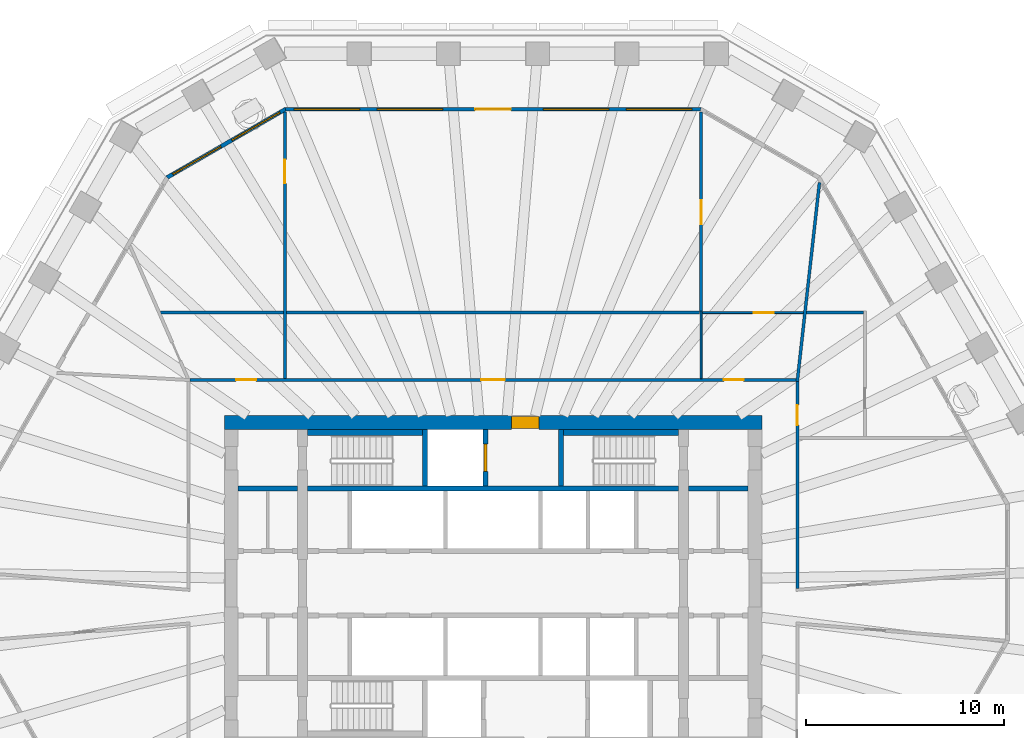
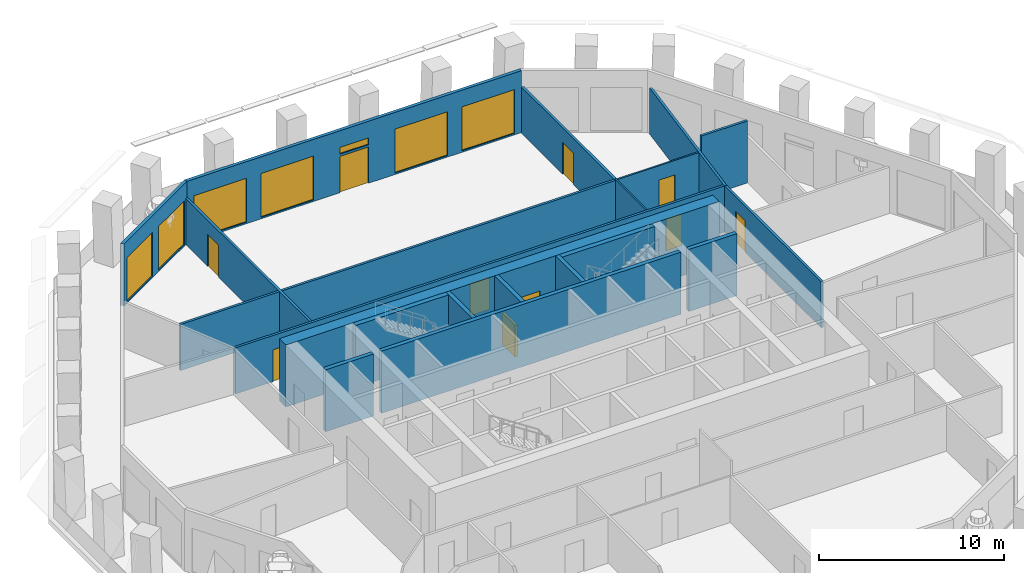
# One storey, part 7 of 12: 20 walls, 10 doors, 7 windows, 17 openings.
"""IFC4 building model written with IfcOpenShell, lengths in metres."""

from ifc_helpers import new_model, si_unit, direction, frame, frame_2d, origin, place, context, subcontext, project, spatial, polyline, rectangle, outline, extrude, material, layer, layer_set, type_object, element, fill, save


model = new_model("IFC4")

# Units and contexts
model_context = context("Model", 3, precision=1e-05, world=origin(), true_north=direction((0.0, 1.0)))
body_context = subcontext(model_context, "Body", "Model", "MODEL_VIEW")
ifc_project = project(units=[si_unit("LENGTHUNIT", "METRE"), si_unit("AREAUNIT", "SQUARE_METRE"), si_unit("VOLUMEUNIT", "CUBIC_METRE"), si_unit("PLANEANGLEUNIT", "RADIAN"), si_unit("MASSUNIT", "GRAM", prefix="KILO")], contexts=[model_context])

# Site, building, storey
site_placement = place(None, origin())
site = spatial("IfcSite", under=ifc_project, at=site_placement, CompositionType="ELEMENT")
building_placement = place(site_placement, origin())
building = spatial("IfcBuilding", under=site, at=building_placement, Name="Frailejon Research Tower", CompositionType="ELEMENT")
storey_placement = place(building_placement, frame((0.0, 0.0, 162.800048828125)))
storey = spatial("IfcBuildingStorey", under=building, at=storey_placement, Name="L35", CompositionType="ELEMENT", Elevation=162.800048828125)

# Wall, opening, door
ifc_material_1 = material(Name="Concrete C60/75", Category="concrete")
ifc_layer_1 = layer(ifc_material_1, 0.699951171875)
ifc_layer_set_1 = layer_set([ifc_layer_1], Name="Core shear wall 700 C60/75")
wall_type_1 = type_object("IfcWallType", Name="Core shear wall 700 C60/75", PredefinedType="SHEAR", material=ifc_layer_set_1)
wall_1_placement = place(storey_placement, frame((-13.550048828125, 8.10009765625, 0.0), z_axis=(0.0, 0.0, 1.0), x_axis=(1.0, 0.0, 0.0)))
wall_1 = element("IfcWall", 1, at=wall_1_placement, inside=storey, type_object=wall_type_1, Name="Core shear wall", PredefinedType="SHEAR", context=body_context, shape_type="SweptSolid", body=[
    extrude(rectangle(XDim=27.10009765625, YDim=0.699951171875, at=frame_2d((13.550048828125, 0.0))), origin(), (0.0, 0.0, 1.0), 4.099853515625),
])
opening_1_placement = place(wall_1_placement, frame((14.47509765625, 0.0, 0.0)))
opening_1 = element("IfcOpeningElement", 2, at=opening_1_placement, cuts=wall_1, Name="Opening D9", PredefinedType="OPENING", context=body_context, shape_type="SweptSolid", body=[
    extrude(rectangle(XDim=1.39990234375, YDim=2.10009765625, at=frame_2d((0.699951171875, 1.050048828125))), frame((0.0, 0.35986328125, 0.0), z_axis=(0.0, -1.0, 0.0), x_axis=(1.0, 0.0, 0.0)), (0.0, 0.0, 1.0), 0.719970703125),
])
ifc_material_2 = material(Name="Steel", Category="steel")
door_type_1 = type_object("IfcDoorType", Name="Goods lobby door", OperationType="DOUBLE_DOOR_SINGLE_SWING", PredefinedType="DOOR", material=ifc_material_2)
door_1_placement = place(opening_1_placement, origin())
door_1 = element("IfcDoor", 3, at=door_1_placement, inside=storey, type_object=door_type_1, Name="Goods lobby door", OperationType="DOUBLE_DOOR_SINGLE_SWING", OverallHeight=2.10009765625, OverallWidth=1.39990234375, PredefinedType="DOOR", context=body_context, shape_type="SweptSolid", body=[
    extrude(rectangle(XDim=1.39990234375, YDim=2.10009765625, at=frame_2d((0.699951171875, 1.050048828125))), frame((0.0, 0.300048828125, 0.0), z_axis=(0.0, -1.0, 0.0), x_axis=(1.0, 0.0, 0.0)), (0.0, 0.0, 1.0), 0.60009765625),
])
fill(opening_1, door_1)

ifc_material_3 = material(Name="Gypsum board and masonry partition", Category="masonry")
ifc_layer_2 = layer(ifc_material_3, 0.14990234375)
ifc_layer_set_2 = layer_set([ifc_layer_2], Name="Corridor wall EI 60, gypsum on steel studs 150")
wall_type_2 = type_object("IfcWallType", Name="Corridor wall EI 60, gypsum on steel studs 150", PredefinedType="PARTITIONING", material=ifc_layer_set_2)
wall_2_placement = place(storey_placement, frame((15.35009765625, -0.25390625, 0.0), z_axis=(0.0, 0.0, 1.0), x_axis=(0.0, 1.0, 0.0)))
wall_2 = element("IfcWall", 4, at=wall_2_placement, inside=storey, type_object=wall_type_2, Name="T:IW:L35:002", PredefinedType="PARTITIONING", context=body_context, shape_type="SweptSolid", body=[
    extrude(rectangle(XDim=10.428955078125, YDim=0.14990234375, at=frame_2d((5.21435546875, 0.0))), origin(), (0.0, 0.0, 1.0), 3.050048828125),
])
opening_2_placement = place(wall_2_placement, frame((8.232177734375, 0.0, 0.0)))
opening_2 = element("IfcOpeningElement", 5, at=opening_2_placement, cuts=wall_2, Name="Opening D1758", PredefinedType="OPENING", context=body_context, shape_type="SweptSolid", body=[
    extrude(rectangle(XDim=1.0, YDim=2.10009765625, at=frame_2d((0.5, 1.050048828125))), frame((0.0, 0.0849609375, 0.0), z_axis=(0.0, -1.0, 0.0), x_axis=(1.0, 0.0, 0.0)), (0.0, 0.0, 1.0), 0.169921875),
])
ifc_material_4 = material(Name="Timber door leaf", Category="wood")
door_type_2 = type_object("IfcDoorType", Name="Door laboratory, timber, vision panel 1000", OperationType="NOTDEFINED", PredefinedType="DOOR", material=ifc_material_4)
door_2_placement = place(opening_2_placement, origin())
door_2 = element("IfcDoor", 6, at=door_2_placement, inside=storey, type_object=door_type_2, Name="D1758", OperationType="SINGLE_SWING_LEFT", OverallHeight=2.10009765625, OverallWidth=1.0, PredefinedType="DOOR", context=body_context, shape_type="SweptSolid", body=[
    extrude(rectangle(XDim=1.0, YDim=2.10009765625, at=frame_2d((0.5, 1.050048828125))), frame((0.0, 0.02490234375, 0.0), z_axis=(0.0, -1.0, 0.0), x_axis=(1.0, 0.0, 0.0)), (0.0, 0.0, 1.0), 0.050048828125),
])
fill(opening_2, door_2)

# Wall, openings, doors
wall_3_placement = place(storey_placement, frame((-15.27490234375, 10.25, 0.0), z_axis=(0.0, 0.0, 1.0), x_axis=(1.0, 0.0, 0.0)))
wall_3 = element("IfcWall", 7, at=wall_3_placement, inside=storey, type_object=wall_type_2, Name="T:IW:L35:003", PredefinedType="PARTITIONING", context=body_context, shape_type="SweptSolid", body=[
    extrude(rectangle(XDim=30.5498046875, YDim=0.14990234375, at=frame_2d((15.27490234375, 0.0))), origin(), (0.0, 0.0, 1.0), 3.050048828125),
])
opening_3_placement = place(wall_3_placement, frame((26.90869140625, 0.0, 0.0)))
opening_3 = element("IfcOpeningElement", 8, at=opening_3_placement, cuts=wall_3, Name="Opening D1760", PredefinedType="OPENING", context=body_context, shape_type="SweptSolid", body=[
    extrude(rectangle(XDim=1.0, YDim=2.10009765625, at=frame_2d((0.5, 1.050048828125))), frame((0.0, 0.0849609375, 0.0), z_axis=(0.0, -1.0, 0.0), x_axis=(1.0, 0.0, 0.0)), (0.0, 0.0, 1.0), 0.169921875),
])
opening_4_placement = place(wall_3_placement, frame((14.675048828125, 0.0, 0.0)))
opening_4 = element("IfcOpeningElement", 9, at=opening_4_placement, cuts=wall_3, Name="Opening D1763", PredefinedType="OPENING", context=body_context, shape_type="SweptSolid", body=[
    extrude(rectangle(XDim=1.199951171875, YDim=2.10009765625, at=frame_2d((0.60009765625, 1.050048828125))), frame((0.0, 0.0849609375, 0.0), z_axis=(0.0, -1.0, 0.0), x_axis=(1.0, 0.0, 0.0)), (0.0, 0.0, 1.0), 0.169921875),
])
opening_5_placement = place(wall_3_placement, frame((2.32568359375, 0.0, 0.0)))
opening_5 = element("IfcOpeningElement", 10, at=opening_5_placement, cuts=wall_3, Name="Opening D1765", PredefinedType="OPENING", context=body_context, shape_type="SweptSolid", body=[
    extrude(rectangle(XDim=1.0, YDim=2.10009765625, at=frame_2d((0.5, 1.050048828125))), frame((0.0, 0.0849609375, 0.0), z_axis=(0.0, -1.0, 0.0), x_axis=(1.0, 0.0, 0.0)), (0.0, 0.0, 1.0), 0.169921875),
])
door_3_placement = place(opening_5_placement, origin())
door_3 = element("IfcDoor", 11, at=door_3_placement, inside=storey, type_object=door_type_2, Name="D1765", OperationType="SINGLE_SWING_LEFT", OverallHeight=2.10009765625, OverallWidth=1.0, PredefinedType="DOOR", context=body_context, shape_type="SweptSolid", body=[
    extrude(rectangle(XDim=1.0, YDim=2.10009765625, at=frame_2d((0.5, 1.050048828125))), frame((0.0, 0.02490234375, 0.0), z_axis=(0.0, -1.0, 0.0), x_axis=(1.0, 0.0, 0.0)), (0.0, 0.0, 1.0), 0.050048828125),
])
fill(opening_5, door_3)
ifc_material_5 = material(Name="Timber door leaf", Category="wood")
door_type_3 = type_object("IfcDoorType", Name="Door single leaf, timber, steel frame 1000", OperationType="NOTDEFINED", PredefinedType="DOOR", material=ifc_material_5)
door_4_placement = place(opening_3_placement, origin())
door_4 = element("IfcDoor", 12, at=door_4_placement, inside=storey, type_object=door_type_3, Name="D1760", OperationType="SINGLE_SWING_RIGHT", OverallHeight=2.10009765625, OverallWidth=1.0, PredefinedType="DOOR", context=body_context, shape_type="SweptSolid", body=[
    extrude(rectangle(XDim=1.0, YDim=2.10009765625, at=frame_2d((0.5, 1.050048828125))), frame((0.0, 0.02490234375, 0.0), z_axis=(0.0, -1.0, 0.0), x_axis=(1.0, 0.0, 0.0)), (0.0, 0.0, 1.0), 0.050048828125),
])
fill(opening_3, door_4)
ifc_material_6 = material(Name="Timber door leaf", Category="wood")
door_type_4 = type_object("IfcDoorType", Name="Door single leaf, timber, steel frame 1200", OperationType="NOTDEFINED", PredefinedType="DOOR", material=ifc_material_6)
door_5_placement = place(opening_4_placement, origin())
door_5 = element("IfcDoor", 13, at=door_5_placement, inside=storey, type_object=door_type_4, Name="D1763", OperationType="DOUBLE_DOOR_SINGLE_SWING", OverallHeight=2.10009765625, OverallWidth=1.199951171875, PredefinedType="DOOR", context=body_context, shape_type="SweptSolid", body=[
    extrude(rectangle(XDim=1.199951171875, YDim=2.10009765625, at=frame_2d((0.60009765625, 1.050048828125))), frame((0.0, 0.02490234375, 0.0), z_axis=(0.0, -1.0, 0.0), x_axis=(1.0, 0.0, 0.0)), (0.0, 0.0, 1.0), 0.050048828125),
])
fill(opening_4, door_5)

# Walls
ifc_material_7 = material(Name="Gypsum board and masonry partition", Category="masonry")
ifc_layer_3 = layer(ifc_material_7, 0.14990234375)
ifc_layer_set_3 = layer_set([ifc_layer_3], Name="Laboratory partition, blockwork 150")
wall_type_3 = type_object("IfcWallType", Name="Laboratory partition, blockwork 150", PredefinedType="PARTITIONING", material=ifc_layer_set_3)
wall_4_placement = place(storey_placement, frame((-16.761474609375, 13.64990234375, 0.0), z_axis=(0.0, 0.0, 1.0), x_axis=(1.0, 0.0, 0.0)))
element("IfcWall", 14, at=wall_4_placement, inside=storey, type_object=wall_type_3, Name="T:IW:L35:012", PredefinedType="PARTITIONING", context=body_context, shape_type="SweptSolid", body=[
    extrude(rectangle(XDim=27.181640625, YDim=0.14990234375, at=frame_2d((13.5908203125, 0.0))), origin(), (0.0, 0.0, 1.0), 3.050048828125),
])
wall_5_placement = place(storey_placement, frame((15.803466796875, 13.64990234375, 0.0), z_axis=(0.0, 0.0, 1.0), x_axis=(1.0, 0.0, 0.0)))
element("IfcWall", 15, at=wall_5_placement, inside=storey, type_object=wall_type_3, Name="T:IW:L35:013", PredefinedType="PARTITIONING", context=body_context, shape_type="SweptSolid", body=[
    extrude(rectangle(XDim=2.87158203125, YDim=0.14990234375, at=frame_2d((1.435791015625, 0.0))), origin(), (0.0, 0.0, 1.0), 4.099853515625),
])
wall_6_placement = place(storey_placement, frame((15.341796875, 10.175537109375, 0.0), z_axis=(0.0, 0.0, 1.0), x_axis=(0.110633414976, 0.993861281815, 0.0)))
element("IfcWall", 16, at=wall_6_placement, inside=storey, type_object=wall_type_3, Name="T:IW:L35:016", PredefinedType="PARTITIONING", context=body_context, shape_type="SweptSolid", body=[
    extrude(rectangle(XDim=10.087158203125, YDim=0.14990234375, at=frame_2d((5.04345703125, 0.0))), origin(), (0.0, 0.0, 1.0), 3.050048828125),
])

# Wall, opening, door
wall_7_placement = place(storey_placement, frame((10.4951171875, 13.699951171875, 0.0), z_axis=(0.0, 0.0, 1.0), x_axis=(0.0, 1.0, 0.0)))
wall_7 = element("IfcWall", 17, at=wall_7_placement, inside=storey, type_object=wall_type_3, Name="T:IW:L35:017", PredefinedType="PARTITIONING", context=body_context, shape_type="SweptSolid", body=[
    extrude(rectangle(XDim=10.069091796875, YDim=0.14990234375, at=frame_2d((5.03466796875, 0.0))), origin(), (0.0, 0.0, 1.0), 3.050048828125),
])
opening_6_placement = place(wall_7_placement, frame((4.409423828125, 0.0, 0.0)))
opening_6 = element("IfcOpeningElement", 18, at=opening_6_placement, cuts=wall_7, Name="Opening D1762", PredefinedType="OPENING", context=body_context, shape_type="SweptSolid", body=[
    extrude(rectangle(XDim=1.199951171875, YDim=2.10009765625, at=frame_2d((0.60009765625, 1.050048828125))), frame((0.0, 0.0849609375, 0.0), z_axis=(0.0, -1.0, 0.0), x_axis=(1.0, 0.0, 0.0)), (0.0, 0.0, 1.0), 0.169921875),
])
ifc_material_8 = material(Name="Timber door leaf", Category="wood")
door_type_5 = type_object("IfcDoorType", Name="Door laboratory, timber, vision panel 1200", OperationType="NOTDEFINED", PredefinedType="DOOR", material=ifc_material_8)
door_6_placement = place(opening_6_placement, origin())
door_6 = element("IfcDoor", 19, at=door_6_placement, inside=storey, type_object=door_type_5, Name="D1762", OperationType="DOUBLE_DOOR_SINGLE_SWING", OverallHeight=2.10009765625, OverallWidth=1.199951171875, PredefinedType="DOOR", context=body_context, shape_type="SweptSolid", body=[
    extrude(rectangle(XDim=1.199951171875, YDim=2.10009765625, at=frame_2d((0.60009765625, 1.050048828125))), frame((0.0, 0.02490234375, 0.0), z_axis=(0.0, -1.0, 0.0), x_axis=(1.0, 0.0, 0.0)), (0.0, 0.0, 1.0), 0.050048828125),
])
fill(opening_6, door_6)

wall_8_placement = place(storey_placement, frame((-10.4951171875, 10.324951171875, 0.0), z_axis=(0.0, 0.0, 1.0), x_axis=(0.0, 1.0, 0.0)))
wall_8 = element("IfcWall", 20, at=wall_8_placement, inside=storey, type_object=wall_type_3, Name="T:IW:L35:018", PredefinedType="PARTITIONING", context=body_context, shape_type="SweptSolid", body=[
    extrude(rectangle(XDim=13.444091796875, YDim=0.14990234375, at=frame_2d((6.72216796875, 0.0))), origin(), (0.0, 0.0, 1.0), 3.050048828125),
])
opening_7_placement = place(wall_8_placement, frame((9.83935546875, 0.0, 0.0)))
opening_7 = element("IfcOpeningElement", 21, at=opening_7_placement, cuts=wall_8, Name="Opening D1764", PredefinedType="OPENING", context=body_context, shape_type="SweptSolid", body=[
    extrude(rectangle(XDim=1.199951171875, YDim=2.10009765625, at=frame_2d((0.60009765625, 1.050048828125))), frame((0.0, 0.0849609375, 0.0), z_axis=(0.0, -1.0, 0.0), x_axis=(1.0, 0.0, 0.0)), (0.0, 0.0, 1.0), 0.169921875),
])
door_7_placement = place(opening_7_placement, origin())
door_7 = element("IfcDoor", 22, at=door_7_placement, inside=storey, type_object=door_type_5, Name="D1764", OperationType="DOUBLE_DOOR_SINGLE_SWING", OverallHeight=2.10009765625, OverallWidth=1.199951171875, PredefinedType="DOOR", context=body_context, shape_type="SweptSolid", body=[
    extrude(rectangle(XDim=1.199951171875, YDim=2.10009765625, at=frame_2d((0.60009765625, 1.050048828125))), frame((0.0, 0.02490234375, 0.0), z_axis=(0.0, -1.0, 0.0), x_axis=(1.0, 0.0, 0.0)), (0.0, 0.0, 1.0), 0.050048828125),
])
fill(opening_7, door_7)

ifc_material_9 = material(Name="Gypsum board and masonry partition", Category="masonry")
ifc_layer_4 = layer(ifc_material_9, 0.10009765625)
ifc_layer_set_4 = layer_set([ifc_layer_4], Name="Partition, gypsum on steel studs 100")
wall_type_4 = type_object("IfcWallType", Name="Partition, gypsum on steel studs 100", PredefinedType="PARTITIONING", material=ifc_layer_set_4)
wall_9_placement = place(storey_placement, frame((10.545166015625, 13.64990234375, 0.0), z_axis=(0.0, 0.0, 1.0), x_axis=(1.0, 0.0, 0.0)))
wall_9 = element("IfcWall", 23, at=wall_9_placement, inside=storey, type_object=wall_type_4, Name="T:IW:L35:030", PredefinedType="PARTITIONING", context=body_context, shape_type="SweptSolid", body=[
    extrude(rectangle(XDim=5.1083984375, YDim=0.10009765625, at=frame_2d((2.55419921875, 0.0))), origin(), (0.0, 0.0, 1.0), 3.050048828125),
])
opening_8_placement = place(wall_9_placement, frame((2.5966796875, 0.0, 0.0)))
opening_8 = element("IfcOpeningElement", 24, at=opening_8_placement, cuts=wall_9, Name="Opening D1761", PredefinedType="OPENING", context=body_context, shape_type="SweptSolid", body=[
    extrude(rectangle(XDim=1.0, YDim=2.10009765625, at=frame_2d((0.5, 1.050048828125))), frame((0.0, 0.06005859375, 0.0), z_axis=(0.0, -1.0, 0.0), x_axis=(1.0, 0.0, 0.0)), (0.0, 0.0, 1.0), 0.1201171875),
])
door_8_placement = place(opening_8_placement, origin())
door_8 = element("IfcDoor", 25, at=door_8_placement, inside=storey, type_object=door_type_3, Name="D1761", OperationType="SINGLE_SWING_LEFT", OverallHeight=2.10009765625, OverallWidth=1.0, PredefinedType="DOOR", context=body_context, shape_type="SweptSolid", body=[
    extrude(rectangle(XDim=1.0, YDim=2.10009765625, at=frame_2d((0.5, 1.050048828125))), frame((0.0, 0.02490234375, 0.0), z_axis=(0.0, -1.0, 0.0), x_axis=(1.0, 0.0, 0.0)), (0.0, 0.0, 1.0), 0.050048828125),
])
fill(opening_8, door_8)

# Walls
wall_10_placement = place(storey_placement, frame((10.4951171875, 10.324951171875, 0.0), z_axis=(0.0, 0.0, 1.0), x_axis=(0.0, 1.0, 0.0)))
element("IfcWall", 26, at=wall_10_placement, inside=storey, type_object=wall_type_4, Name="T:IW:L35:031", PredefinedType="PARTITIONING", context=body_context, shape_type="SweptSolid", body=[
    extrude(rectangle(XDim=3.400146484375, YDim=0.10009765625, at=frame_2d((1.7001953125, 0.0))), origin(), (0.0, 0.0, 1.0), 3.050048828125),
])
ifc_material_10 = material(Name="Concrete C60/75", Category="concrete")
ifc_layer_5 = layer(ifc_material_10, 0.25)
ifc_layer_set_5 = layer_set([ifc_layer_5], Name="Shaft wall 250 C60/75")
wall_type_5 = type_object("IfcWallType", Name="Shaft wall 250 C60/75", PredefinedType="SOLIDWALL", material=ifc_layer_set_5)
wall_11_placement = place(storey_placement, frame((-12.85009765625, 4.77490234375, 0.0), z_axis=(0.0, 0.0, 1.0), x_axis=(1.0, 0.0, 0.0)))
element("IfcWall", 27, at=wall_11_placement, inside=storey, type_object=wall_type_5, Name="Shaft wall", PredefinedType="SOLIDWALL", context=body_context, shape_type="SweptSolid", body=[
    extrude(rectangle(XDim=3.0, YDim=0.25, at=frame_2d((1.5, 0.0))), origin(), (0.0, 0.0, 1.0), 4.099853515625),
])
wall_12_placement = place(storey_placement, frame((-9.35009765625, 4.77490234375, 0.0), z_axis=(0.0, 0.0, 1.0), x_axis=(1.0, 0.0, 0.0)))
element("IfcWall", 28, at=wall_12_placement, inside=storey, type_object=wall_type_5, Name="Shaft wall", PredefinedType="SOLIDWALL", context=body_context, shape_type="SweptSolid", body=[
    extrude(rectangle(XDim=18.7001953125, YDim=0.25, at=frame_2d((9.35009765625, 0.0))), origin(), (0.0, 0.0, 1.0), 4.099853515625),
])
wall_13_placement = place(storey_placement, frame((9.85009765625, 4.77490234375, 0.0), z_axis=(0.0, 0.0, 1.0), x_axis=(1.0, 0.0, 0.0)))
element("IfcWall", 29, at=wall_13_placement, inside=storey, type_object=wall_type_5, Name="Shaft wall", PredefinedType="SOLIDWALL", context=body_context, shape_type="SweptSolid", body=[
    extrude(rectangle(XDim=3.0, YDim=0.25, at=frame_2d((1.5, 0.0))), origin(), (0.0, 0.0, 1.0), 4.099853515625),
])
wall_14_placement = place(storey_placement, frame((-3.425048828125, 4.89990234375, 0.0), z_axis=(0.0, 0.0, 1.0), x_axis=(0.0, 1.0, 0.0)))
element("IfcWall", 30, at=wall_14_placement, inside=storey, type_object=wall_type_5, Name="Shaft wall", PredefinedType="SOLIDWALL", context=body_context, shape_type="SweptSolid", body=[
    extrude(rectangle(XDim=2.85009765625, YDim=0.25, at=frame_2d((1.425048828125, 0.0))), origin(), (0.0, 0.0, 1.0), 4.099853515625),
])

# Wall, opening, door
wall_15_placement = place(storey_placement, frame((-0.375, 4.89990234375, 0.0), z_axis=(0.0, 0.0, 1.0), x_axis=(0.0, 1.0, 0.0)))
wall_15 = element("IfcWall", 31, at=wall_15_placement, inside=storey, type_object=wall_type_5, Name="Shaft wall", PredefinedType="SOLIDWALL", context=body_context, shape_type="SweptSolid", body=[
    extrude(rectangle(XDim=2.85009765625, YDim=0.25, at=frame_2d((1.425048828125, 0.0))), origin(), (0.0, 0.0, 1.0), 4.099853515625),
])
opening_9_placement = place(wall_15_placement, frame((0.72509765625, 0.0, 0.0)))
opening_9 = element("IfcOpeningElement", 32, at=opening_9_placement, cuts=wall_15, Name="Opening LD2", PredefinedType="OPENING", context=body_context, shape_type="SweptSolid", body=[
    extrude(rectangle(XDim=1.39990234375, YDim=2.10009765625, at=frame_2d((0.699951171875, 1.050048828125))), frame((0.0, 0.135009765625, 0.0), z_axis=(0.0, -1.0, 0.0), x_axis=(1.0, 0.0, 0.0)), (0.0, 0.0, 1.0), 0.27001953125),
])
ifc_material_11 = material(Name="Stainless steel", Category="steel")
door_type_6 = type_object("IfcDoorType", Name="Goods landing door", OperationType="DOUBLE_DOOR_SLIDING", PredefinedType="DOOR", material=ifc_material_11)
door_9_placement = place(opening_9_placement, origin())
door_9 = element("IfcDoor", 33, at=door_9_placement, inside=storey, type_object=door_type_6, Name="Lift landing door", OperationType="DOUBLE_DOOR_SLIDING", OverallHeight=2.10009765625, OverallWidth=1.39990234375, PredefinedType="DOOR", context=body_context, shape_type="SweptSolid", body=[
    extrude(rectangle(XDim=1.39990234375, YDim=2.10009765625, at=frame_2d((0.699951171875, 1.050048828125))), frame((0.0, 0.074951171875, 0.0), z_axis=(0.0, -1.0, 0.0), x_axis=(1.0, 0.0, 0.0)), (0.0, 0.0, 1.0), 0.14990234375),
])
fill(opening_9, door_9)

# Walls
wall_16_placement = place(storey_placement, frame((3.425048828125, 4.89990234375, 0.0), z_axis=(0.0, 0.0, 1.0), x_axis=(0.0, 1.0, 0.0)))
element("IfcWall", 34, at=wall_16_placement, inside=storey, type_object=wall_type_5, Name="Shaft wall", PredefinedType="SOLIDWALL", context=body_context, shape_type="SweptSolid", body=[
    extrude(rectangle(XDim=2.85009765625, YDim=0.25, at=frame_2d((1.425048828125, 0.0))), origin(), (0.0, 0.0, 1.0), 4.099853515625),
])
ifc_material_12 = material(Name="Concrete C60/75", Category="concrete")
ifc_layer_6 = layer(ifc_material_12, 0.300048828125)
ifc_layer_set_6 = layer_set([ifc_layer_6], Name="Shaft wall 300 C60/75")
wall_type_6 = type_object("IfcWallType", Name="Shaft wall 300 C60/75", PredefinedType="SOLIDWALL", material=ifc_layer_set_6)
for number, where, z_axis, x_axis, name in (
    (35, (-9.35009765625, 7.60009765625, 0.0), (0.0, 0.0, 1.0), (1.0, 0.0, 0.0), "Shaft wall"),
    (36, (3.550048828125, 7.60009765625, 0.0), (0.0, 0.0, 1.0), (1.0, 0.0, 0.0), "Shaft wall"),
):
    element("IfcWall", number, at=place(storey_placement, frame(where, z_axis=z_axis, x_axis=x_axis)), inside=storey, type_object=wall_type_6, Name=name, PredefinedType="SOLIDWALL", context=body_context, shape_type="SweptSolid", body=[
        extrude(rectangle(XDim=5.800048828125, YDim=0.300048828125, at=frame_2d((2.89990234375, 0.0))), origin(), (0.0, 0.0, 1.0), 4.099853515625),
    ])

# Wall, openings, door, windows
ifc_material_13 = material(Name="Concrete C40/50 precast window wall panel", Category="concrete")
ifc_layer_7 = layer(ifc_material_13, 0.199951171875)
ifc_layer_set_7 = layer_set([ifc_layer_7], Name="Window wall 200")
wall_type_7 = type_object("IfcWallType", Name="Window wall 200", PredefinedType="SOLIDWALL", material=ifc_layer_set_7)
wall_17_placement = place(storey_placement, frame((10.46826171875, 23.89990234375, 0.0), z_axis=(0.0, 0.0, 1.0), x_axis=(-1.0, 0.0, 0.0)))
wall_17 = element("IfcWall", 37, at=wall_17_placement, inside=storey, type_object=wall_type_7, Name="Exterior wall L35", PredefinedType="SOLIDWALL", context=body_context, shape_type="SweptSolid", body=[
    extrude(outline(polyline([(-0.02685546875, -0.10009765625), (1.022705078125, -0.10009765625), (2.072265625, -0.10009765625), (3.12158203125, -0.10009765625), (4.171142578125, -0.10009765625), (5.220703125, -0.10009765625), (6.270263671875, -0.10009765625), (7.31982421875, -0.10009765625), (8.369140625, -0.10009765625), (9.418701171875, -0.10009765625), (10.46826171875, -0.10009765625), (11.517822265625, -0.10009765625), (12.5673828125, -0.10009765625), (13.61669921875, -0.10009765625), (14.666259765625, -0.10009765625), (15.7158203125, -0.10009765625), (16.765380859375, -0.10009765625), (17.81494140625, -0.10009765625), (18.8642578125, -0.10009765625), (19.913818359375, -0.10009765625), (20.96337890625, -0.10009765625), (20.90966796875, 0.10009765625), (19.865478515625, 0.10009765625), (18.8212890625, 0.10009765625), (17.77734375, 0.10009765625), (16.733154296875, 0.10009765625), (15.68896484375, 0.10009765625), (14.644775390625, 0.10009765625), (13.6005859375, 0.10009765625), (12.556640625, 0.10009765625), (11.512451171875, 0.10009765625), (10.46826171875, 0.10009765625), (9.424072265625, 0.10009765625), (8.3798828125, 0.10009765625), (7.3359375, 0.10009765625), (6.291748046875, 0.10009765625), (5.24755859375, 0.10009765625), (4.203369140625, 0.10009765625), (3.1591796875, 0.10009765625), (2.115234375, 0.10009765625), (1.071044921875, 0.10009765625), (0.02685546875, 0.10009765625), (-0.02685546875, -0.10009765625)])), origin(), (0.0, 0.0, 1.0), 4.099853515625),
])
opening_10_placement = place(wall_17_placement, frame((0.443603515625, 0.0, 0.10009765625)))
opening_10 = element("IfcOpeningElement", 38, at=opening_10_placement, cuts=wall_17, Name="Opening W5", PredefinedType="OPENING", context=body_context, shape_type="SweptSolid", body=[
    extrude(rectangle(XDim=3.300048828125, YDim=2.89990234375, at=frame_2d((1.64990234375, 1.449951171875))), frame((0.0, 0.10986328125, 0.0), z_axis=(0.0, -1.0, 0.0), x_axis=(1.0, 0.0, 0.0)), (0.0, 0.0, 1.0), 0.219970703125),
])
opening_11_placement = place(wall_17_placement, frame((4.631103515625, 0.0, 0.10009765625)))
opening_11 = element("IfcOpeningElement", 39, at=opening_11_placement, cuts=wall_17, Name="Opening W5", PredefinedType="OPENING", context=body_context, shape_type="SweptSolid", body=[
    extrude(rectangle(XDim=3.300048828125, YDim=2.89990234375, at=frame_2d((1.64990234375, 1.449951171875))), frame((0.0, 0.10986328125, 0.0), z_axis=(0.0, -1.0, 0.0), x_axis=(1.0, 0.0, 0.0)), (0.0, 0.0, 1.0), 0.219970703125),
])
opening_12_placement = place(wall_17_placement, frame((9.568359375, 0.0, 0.0)))
opening_12 = element("IfcOpeningElement", 40, at=opening_12_placement, cuts=wall_17, Name="Opening LG35-2", PredefinedType="OPENING", context=body_context, shape_type="SweptSolid", body=[
    extrude(rectangle(XDim=1.800048828125, YDim=2.39990234375, at=frame_2d((0.89990234375, 1.199951171875))), frame((0.0, 0.10986328125, 0.0), z_axis=(0.0, -1.0, 0.0), x_axis=(1.0, 0.0, 0.0)), (0.0, 0.0, 1.0), 0.219970703125),
])
opening_13_placement = place(wall_17_placement, frame((9.568359375, 0.0, 2.550048828125)))
opening_13 = element("IfcOpeningElement", 41, at=opening_13_placement, cuts=wall_17, Name="Opening W1", PredefinedType="OPENING", context=body_context, shape_type="SweptSolid", body=[
    extrude(rectangle(XDim=1.800048828125, YDim=0.449951171875, at=frame_2d((0.89990234375, 0.22509765625))), frame((0.0, 0.10986328125, 0.0), z_axis=(0.0, -1.0, 0.0), x_axis=(1.0, 0.0, 0.0)), (0.0, 0.0, 1.0), 0.219970703125),
])
opening_14_placement = place(wall_17_placement, frame((13.005615234375, 0.0, 0.10009765625)))
opening_14 = element("IfcOpeningElement", 42, at=opening_14_placement, cuts=wall_17, Name="Opening W5", PredefinedType="OPENING", context=body_context, shape_type="SweptSolid", body=[
    extrude(rectangle(XDim=3.300048828125, YDim=2.89990234375, at=frame_2d((1.64990234375, 1.449951171875))), frame((0.0, 0.10986328125, 0.0), z_axis=(0.0, -1.0, 0.0), x_axis=(1.0, 0.0, 0.0)), (0.0, 0.0, 1.0), 0.219970703125),
])
opening_15_placement = place(wall_17_placement, frame((17.19287109375, 0.0, 0.10009765625)))
opening_15 = element("IfcOpeningElement", 43, at=opening_15_placement, cuts=wall_17, Name="Opening W5", PredefinedType="OPENING", context=body_context, shape_type="SweptSolid", body=[
    extrude(rectangle(XDim=3.300048828125, YDim=2.89990234375, at=frame_2d((1.64990234375, 1.449951171875))), frame((0.0, 0.10986328125, 0.0), z_axis=(0.0, -1.0, 0.0), x_axis=(1.0, 0.0, 0.0)), (0.0, 0.0, 1.0), 0.219970703125),
])
ifc_material_14 = material(Name="Aluminium framed glazed door leaf", Category="aluminium")
door_type_7 = type_object("IfcDoorType", Name="Loggia door 1800x2400", OperationType="DOUBLE_DOOR_SINGLE_SWING", PredefinedType="DOOR", material=ifc_material_14)
door_10_placement = place(opening_12_placement, origin())
door_10 = element("IfcDoor", 44, at=door_10_placement, inside=storey, type_object=door_type_7, Name="Door LG35-2", OperationType="DOUBLE_DOOR_SINGLE_SWING", OverallHeight=2.39990234375, OverallWidth=1.800048828125, PredefinedType="DOOR", context=body_context, shape_type="SweptSolid", body=[
    extrude(rectangle(XDim=1.800048828125, YDim=2.39990234375, at=frame_2d((0.89990234375, 1.199951171875))), frame((0.0, 0.02490234375, 0.0), z_axis=(0.0, -1.0, 0.0), x_axis=(1.0, 0.0, 0.0)), (0.0, 0.0, 1.0), 0.050048828125),
])
fill(opening_12, door_10)
ifc_material_15 = material(Name="Aluminium framed double glazing", Category="aluminium")
window_type_1 = type_object("IfcWindowType", Name="Window 1800x450", PartitioningType="SINGLE_PANEL", PredefinedType="WINDOW", material=ifc_material_15)
window_1_placement = place(opening_13_placement, origin())
window_1 = element("IfcWindow", 45, at=window_1_placement, inside=storey, type_object=window_type_1, Name="Window L35", OverallHeight=0.449951171875, OverallWidth=1.800048828125, PartitioningType="SINGLE_PANEL", PredefinedType="WINDOW", context=body_context, shape_type="SweptSolid", body=[
    extrude(rectangle(XDim=1.800048828125, YDim=0.449951171875, at=frame_2d((0.89990234375, 0.22509765625))), frame((0.0, 0.030029296875, 0.0), z_axis=(0.0, -1.0, 0.0), x_axis=(1.0, 0.0, 0.0)), (0.0, 0.0, 1.0), 0.06005859375),
])
fill(opening_13, window_1)
ifc_material_16 = material(Name="Aluminium framed double glazing", Category="aluminium")
window_type_2 = type_object("IfcWindowType", Name="Window 3300x2900", PartitioningType="SINGLE_PANEL", PredefinedType="WINDOW", material=ifc_material_16)
window_2_placement = place(opening_10_placement, origin())
window_2 = element("IfcWindow", 46, at=window_2_placement, inside=storey, type_object=window_type_2, Name="Window L35", OverallHeight=2.89990234375, OverallWidth=3.300048828125, PartitioningType="SINGLE_PANEL", PredefinedType="WINDOW", context=body_context, shape_type="SweptSolid", body=[
    extrude(rectangle(XDim=3.300048828125, YDim=2.89990234375, at=frame_2d((1.64990234375, 1.449951171875))), frame((0.0, 0.030029296875, 0.0), z_axis=(0.0, -1.0, 0.0), x_axis=(1.0, 0.0, 0.0)), (0.0, 0.0, 1.0), 0.06005859375),
])
fill(opening_10, window_2)
window_3_placement = place(opening_11_placement, origin())
window_3 = element("IfcWindow", 47, at=window_3_placement, inside=storey, type_object=window_type_2, Name="Window L35", OverallHeight=2.89990234375, OverallWidth=3.300048828125, PartitioningType="SINGLE_PANEL", PredefinedType="WINDOW", context=body_context, shape_type="SweptSolid", body=[
    extrude(rectangle(XDim=3.300048828125, YDim=2.89990234375, at=frame_2d((1.64990234375, 1.449951171875))), frame((0.0, 0.030029296875, 0.0), z_axis=(0.0, -1.0, 0.0), x_axis=(1.0, 0.0, 0.0)), (0.0, 0.0, 1.0), 0.06005859375),
])
fill(opening_11, window_3)
window_4_placement = place(opening_14_placement, origin())
window_4 = element("IfcWindow", 48, at=window_4_placement, inside=storey, type_object=window_type_2, Name="Window L35", OverallHeight=2.89990234375, OverallWidth=3.300048828125, PartitioningType="SINGLE_PANEL", PredefinedType="WINDOW", context=body_context, shape_type="SweptSolid", body=[
    extrude(rectangle(XDim=3.300048828125, YDim=2.89990234375, at=frame_2d((1.64990234375, 1.449951171875))), frame((0.0, 0.030029296875, 0.0), z_axis=(0.0, -1.0, 0.0), x_axis=(1.0, 0.0, 0.0)), (0.0, 0.0, 1.0), 0.06005859375),
])
fill(opening_14, window_4)
window_5_placement = place(opening_15_placement, origin())
window_5 = element("IfcWindow", 49, at=window_5_placement, inside=storey, type_object=window_type_2, Name="Window L35", OverallHeight=2.89990234375, OverallWidth=3.300048828125, PartitioningType="SINGLE_PANEL", PredefinedType="WINDOW", context=body_context, shape_type="SweptSolid", body=[
    extrude(rectangle(XDim=3.300048828125, YDim=2.89990234375, at=frame_2d((1.64990234375, 1.449951171875))), frame((0.0, 0.030029296875, 0.0), z_axis=(0.0, -1.0, 0.0), x_axis=(1.0, 0.0, 0.0)), (0.0, 0.0, 1.0), 0.06005859375),
])
fill(opening_15, window_5)

# Wall, openings, windows
wall_18_placement = place(storey_placement, frame((-10.46826171875, 23.89990234375, 0.0), z_axis=(0.0, 0.0, 1.0), x_axis=(-0.866029458321, -0.49999297727, 0.0)))
wall_18 = element("IfcWall", 50, at=wall_18_placement, inside=storey, type_object=wall_type_7, Name="Exterior wall L35", PredefinedType="SOLIDWALL", context=body_context, shape_type="SweptSolid", body=[
    extrude(outline(polyline([(-0.02685546875, -0.10009765625), (1.1279296875, -0.10009765625), (2.282470703125, -0.10009765625), (3.437255859375, -0.10009765625), (4.592041015625, -0.10009765625), (5.74658203125, -0.10009765625), (6.9013671875, -0.10009765625), (6.84765625, 0.10009765625), (5.7109375, 0.10009765625), (4.573974609375, 0.10009765625), (3.437255859375, 0.10009765625), (2.300537109375, 0.10009765625), (1.16357421875, 0.10009765625), (0.02685546875, 0.10009765625), (-0.02685546875, -0.10009765625)])), origin(), (0.0, 0.0, 1.0), 4.099853515625),
])
opening_16_placement = place(wall_18_placement, frame((0.318603515625, 0.0, 0.10009765625)))
opening_16 = element("IfcOpeningElement", 51, at=opening_16_placement, cuts=wall_18, Name="Opening W3", PredefinedType="OPENING", context=body_context, shape_type="SweptSolid", body=[
    extrude(rectangle(XDim=2.800048828125, YDim=2.89990234375, at=frame_2d((1.39990234375, 1.449951171875))), frame((0.0, 0.10986328125, 0.0), z_axis=(0.0, -1.0, 0.0), x_axis=(1.0, 0.0, 0.0)), (0.0, 0.0, 1.0), 0.219970703125),
])
opening_17_placement = place(wall_18_placement, frame((3.756103515625, 0.0, 0.10009765625)))
opening_17 = element("IfcOpeningElement", 52, at=opening_17_placement, cuts=wall_18, Name="Opening W3", PredefinedType="OPENING", context=body_context, shape_type="SweptSolid", body=[
    extrude(rectangle(XDim=2.800048828125, YDim=2.89990234375, at=frame_2d((1.39990234375, 1.449951171875))), frame((0.0, 0.10986328125, 0.0), z_axis=(0.0, -1.0, 0.0), x_axis=(1.0, 0.0, 0.0)), (0.0, 0.0, 1.0), 0.219970703125),
])
ifc_material_17 = material(Name="Aluminium framed double glazing", Category="aluminium")
window_type_3 = type_object("IfcWindowType", Name="Window 2800x2900", PartitioningType="SINGLE_PANEL", PredefinedType="WINDOW", material=ifc_material_17)
window_6_placement = place(opening_16_placement, origin())
window_6 = element("IfcWindow", 53, at=window_6_placement, inside=storey, type_object=window_type_3, Name="Window L35", OverallHeight=2.89990234375, OverallWidth=2.800048828125, PartitioningType="SINGLE_PANEL", PredefinedType="WINDOW", context=body_context, shape_type="SweptSolid", body=[
    extrude(rectangle(XDim=2.800048828125, YDim=2.89990234375, at=frame_2d((1.39990234375, 1.449951171875))), frame((0.0, 0.030029296875, 0.0), z_axis=(0.0, -1.0, 0.0), x_axis=(1.0, 0.0, 0.0)), (0.0, 0.0, 1.0), 0.06005859375),
])
fill(opening_16, window_6)
window_7_placement = place(opening_17_placement, origin())
window_7 = element("IfcWindow", 54, at=window_7_placement, inside=storey, type_object=window_type_3, Name="Window L35", OverallHeight=2.89990234375, OverallWidth=2.800048828125, PartitioningType="SINGLE_PANEL", PredefinedType="WINDOW", context=body_context, shape_type="SweptSolid", body=[
    extrude(rectangle(XDim=2.800048828125, YDim=2.89990234375, at=frame_2d((1.39990234375, 1.449951171875))), frame((0.0, 0.030029296875, 0.0), z_axis=(0.0, -1.0, 0.0), x_axis=(1.0, 0.0, 0.0)), (0.0, 0.0, 1.0), 0.06005859375),
])
fill(opening_17, window_7)

save(model, "model.ifc")
